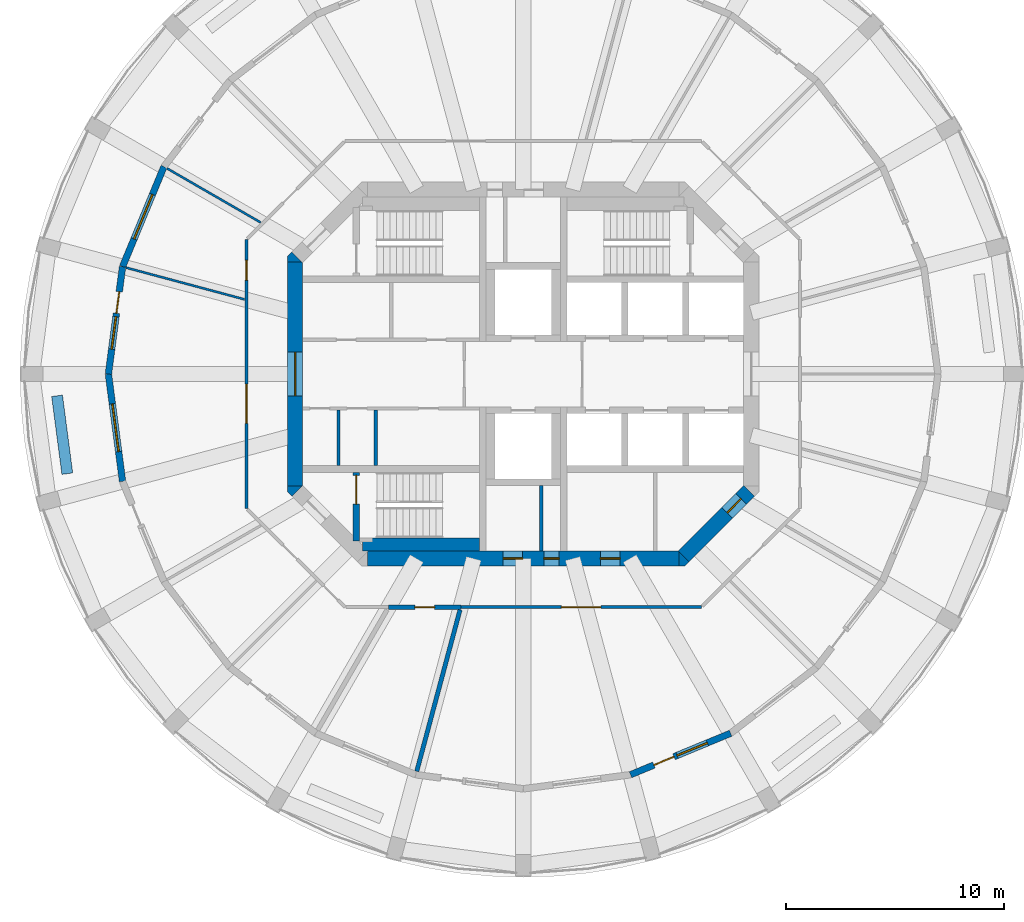
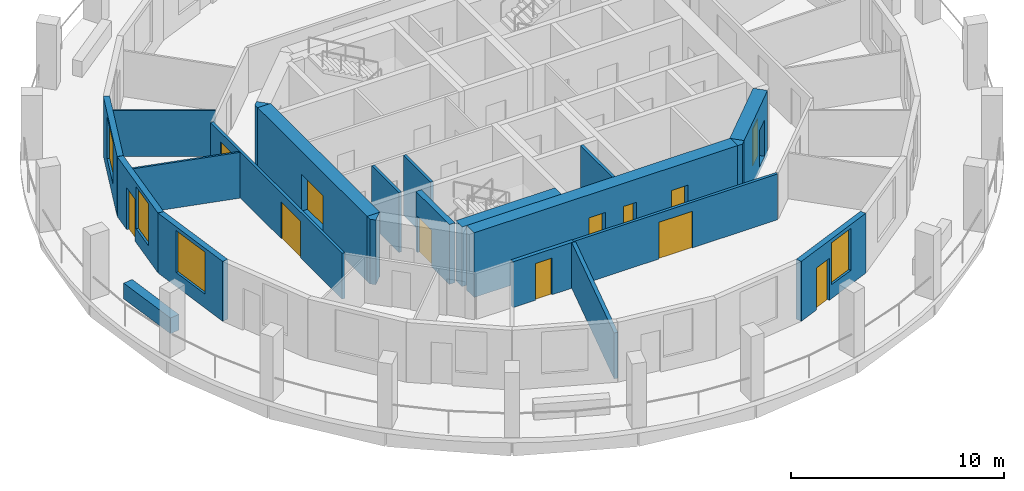
# One storey, part 3 of 9: 22 walls, 12 doors, 4 windows, 16 openings.
"""IFC4 building model written with IfcOpenShell, lengths in metres."""

from ifc_helpers import new_model, si_unit, direction, frame, frame_2d, origin, place, context, subcontext, project, spatial, polyline, rectangle, outline, extrude, material, layer, layer_set, type_object, element, fill, save


model = new_model("IFC4")

# Units and contexts
model_context = context("Model", 3, precision=1e-05, world=origin(), true_north=direction((0.0, 1.0)))
body_context = subcontext(model_context, "Body", "Model", "MODEL_VIEW")
ifc_project = project(units=[si_unit("LENGTHUNIT", "METRE"), si_unit("AREAUNIT", "SQUARE_METRE"), si_unit("VOLUMEUNIT", "CUBIC_METRE"), si_unit("PLANEANGLEUNIT", "RADIAN"), si_unit("MASSUNIT", "GRAM", prefix="KILO")], contexts=[model_context])

# Site, building, storey
site_placement = place(None, origin())
site = spatial("IfcSite", under=ifc_project, at=site_placement, CompositionType="ELEMENT")
building_placement = place(site_placement, origin())
building = spatial("IfcBuilding", under=site, at=building_placement, Name="Torre Triforio", CompositionType="ELEMENT")
storey_placement = place(building_placement, frame((0.0, 0.0, 154.199951171875)))
storey = spatial("IfcBuildingStorey", under=building, at=storey_placement, Name="L34", CompositionType="ELEMENT", Elevation=154.199951171875)

# Wall, openings, doors
ifc_material_1 = material(Name="Concrete C50", Category="concrete")
ifc_layer_1 = layer(ifc_material_1, 0.699951171875)
ifc_layer_set_1 = layer_set([ifc_layer_1], Name="Concrete C50")
wall_type_1 = type_object("IfcWallType", Name="Core wall 700 mm C50 EI 120", PredefinedType="SHEAR", material=ifc_layer_set_1)
wall_1_placement = place(storey_placement, frame((-7.1298828125, -8.449951171875, -0.280029296875), z_axis=(0.0, 0.0, 1.0), x_axis=(1.0, 0.0, 0.0)))
wall_1 = element("IfcWall", 1, at=wall_1_placement, inside=storey, type_object=wall_type_1, Name="Core wall", PredefinedType="SHEAR", context=body_context, shape_type="SweptSolid", body=[
    extrude(rectangle(XDim=14.259765625, YDim=0.699951171875, at=frame_2d((7.1298828125, 0.0))), origin(), (0.0, 0.0, 1.0), 3.7001953125),
])
opening_1_placement = place(wall_1_placement, frame((8.080078125, 0.0, 0.280029296875)))
opening_1 = element("IfcOpeningElement", 2, at=opening_1_placement, cuts=wall_1, Name="Opening RISER-S", PredefinedType="OPENING", context=body_context, shape_type="SweptSolid", body=[
    extrude(rectangle(XDim=0.699951171875, YDim=2.10009765625, at=frame_2d((0.35009765625, 1.050048828125))), frame((0.0, 0.35986328125, 0.0), z_axis=(0.0, -1.0, 0.0), x_axis=(1.0, 0.0, 0.0)), (0.0, 0.0, 1.0), 0.719970703125),
])
opening_2_placement = place(wall_1_placement, frame((6.205078125, 0.0, 0.280029296875)))
opening_2 = element("IfcOpeningElement", 3, at=opening_2_placement, cuts=wall_1, Name="Opening SW-01B", PredefinedType="OPENING", context=body_context, shape_type="SweptSolid", body=[
    extrude(rectangle(XDim=0.89990234375, YDim=2.10009765625, at=frame_2d((0.449951171875, 1.050048828125))), frame((0.0, 0.35986328125, 0.0), z_axis=(0.0, -1.0, 0.0), x_axis=(1.0, 0.0, 0.0)), (0.0, 0.0, 1.0), 0.719970703125),
])
opening_3_placement = place(wall_1_placement, frame((10.66748046875, 0.0, 0.280029296875)))
opening_3 = element("IfcOpeningElement", 4, at=opening_3_placement, cuts=wall_1, Name="Opening SE-01A", PredefinedType="OPENING", context=body_context, shape_type="SweptSolid", body=[
    extrude(rectangle(XDim=0.89990234375, YDim=2.10009765625, at=frame_2d((0.449951171875, 1.050048828125))), frame((0.0, 0.35986328125, 0.0), z_axis=(0.0, -1.0, 0.0), x_axis=(1.0, 0.0, 0.0)), (0.0, 0.0, 1.0), 0.719970703125),
])
ifc_material_2 = material(Name="Hollow metal fire door leaf")
door_type_1 = type_object("IfcDoorType", Name="Riser door 700 x 2100 EI 60", OperationType="NOTDEFINED", PredefinedType="DOOR", material=ifc_material_2)
door_1_placement = place(opening_1_placement, origin())
door_1 = element("IfcDoor", 5, at=door_1_placement, inside=storey, type_object=door_type_1, Name="Core door RISER-S", OperationType="SINGLE_SWING_RIGHT", OverallHeight=2.10009765625, OverallWidth=0.699951171875, PredefinedType="DOOR", context=body_context, shape_type="SweptSolid", body=[
    extrude(rectangle(XDim=0.699951171875, YDim=2.10009765625, at=frame_2d((0.35009765625, 1.050048828125))), frame((0.0, 0.02490234375, 0.0), z_axis=(0.0, -1.0, 0.0), x_axis=(1.0, 0.0, 0.0)), (0.0, 0.0, 1.0), 0.050048828125),
])
fill(opening_1, door_1)
door_type_2 = type_object("IfcDoorType", Name="Room door 900 x 2100 EI 60", OperationType="NOTDEFINED", PredefinedType="DOOR", material=ifc_material_2)
door_2_placement = place(opening_2_placement, origin())
door_2 = element("IfcDoor", 6, at=door_2_placement, inside=storey, type_object=door_type_2, Name="Core door SW-01", OperationType="SINGLE_SWING_LEFT", OverallHeight=2.10009765625, OverallWidth=0.89990234375, PredefinedType="DOOR", context=body_context, shape_type="SweptSolid", body=[
    extrude(rectangle(XDim=0.89990234375, YDim=2.10009765625, at=frame_2d((0.449951171875, 1.050048828125))), frame((0.0, 0.02490234375, 0.0), z_axis=(0.0, -1.0, 0.0), x_axis=(1.0, 0.0, 0.0)), (0.0, 0.0, 1.0), 0.050048828125),
])
fill(opening_2, door_2)
door_3_placement = place(opening_3_placement, origin())
door_3 = element("IfcDoor", 7, at=door_3_placement, inside=storey, type_object=door_type_2, Name="Core door SE-01", OperationType="SINGLE_SWING_LEFT", OverallHeight=2.10009765625, OverallWidth=0.89990234375, PredefinedType="DOOR", context=body_context, shape_type="SweptSolid", body=[
    extrude(rectangle(XDim=0.89990234375, YDim=2.10009765625, at=frame_2d((0.449951171875, 1.050048828125))), frame((0.0, 0.02490234375, 0.0), z_axis=(0.0, -1.0, 0.0), x_axis=(1.0, 0.0, 0.0)), (0.0, 0.0, 1.0), 0.050048828125),
])
fill(opening_3, door_3)

# Wall, opening, door
wall_2_placement = place(storey_placement, frame((-10.449951171875, -5.1298828125, -0.280029296875), z_axis=(0.0, 0.0, 1.0), x_axis=(0.0, 1.0, 0.0)))
wall_2 = element("IfcWall", 8, at=wall_2_placement, inside=storey, type_object=wall_type_1, Name="Core wall", PredefinedType="SHEAR", context=body_context, shape_type="SweptSolid", body=[
    extrude(rectangle(XDim=10.259765625, YDim=0.699951171875, at=frame_2d((5.1298828125, 0.0))), origin(), (0.0, 0.0, 1.0), 3.7001953125),
])
opening_4_placement = place(wall_2_placement, frame((4.1298828125, 0.0, 0.280029296875)))
opening_4 = element("IfcOpeningElement", 9, at=opening_4_placement, cuts=wall_2, Name="Opening W-RING", PredefinedType="OPENING", context=body_context, shape_type="SweptSolid", body=[
    extrude(rectangle(XDim=2.0, YDim=2.10009765625, at=frame_2d((1.0, 1.050048828125))), frame((0.0, 0.35986328125, 0.0), z_axis=(0.0, -1.0, 0.0), x_axis=(1.0, 0.0, 0.0)), (0.0, 0.0, 1.0), 0.719970703125),
])
door_type_3 = type_object("IfcDoorType", Name="Lobby door 2000 x 2100 EI 60", OperationType="DOUBLE_DOOR_SINGLE_SWING", PredefinedType="DOOR", material=ifc_material_2)
door_4_placement = place(opening_4_placement, origin())
door_4 = element("IfcDoor", 10, at=door_4_placement, inside=storey, type_object=door_type_3, Name="Core door W-RING", OperationType="DOUBLE_DOOR_SINGLE_SWING", OverallHeight=2.10009765625, OverallWidth=2.0, PredefinedType="DOOR", context=body_context, shape_type="SweptSolid", body=[
    extrude(rectangle(XDim=2.0, YDim=2.10009765625, at=frame_2d((1.0, 1.050048828125))), frame((0.0, 0.02490234375, 0.0), z_axis=(0.0, -1.0, 0.0), x_axis=(1.0, 0.0, 0.0)), (0.0, 0.0, 1.0), 0.050048828125),
])
fill(opening_4, door_4)

wall_3_placement = place(storey_placement, frame((10.347412109375, -5.347412109375, -0.280029296875), z_axis=(0.0, 0.0, 1.0), x_axis=(-0.707106781187, -0.707106781187, 0.0)))
wall_3 = element("IfcWall", 11, at=wall_3_placement, inside=storey, type_object=wall_type_1, Name="Core wall", PredefinedType="SHEAR", context=body_context, shape_type="SweptSolid", body=[
    extrude(rectangle(XDim=4.24267578125, YDim=0.699951171875, at=frame_2d((2.121337890625, 0.0))), origin(), (0.0, 0.0, 1.0), 3.7001953125),
])
opening_5_placement = place(wall_3_placement, frame((0.52001953125, 0.0, 0.280029296875)))
opening_5 = element("IfcOpeningElement", 12, at=opening_5_placement, cuts=wall_3, Name="Opening SE-02", PredefinedType="OPENING", context=body_context, shape_type="SweptSolid", body=[
    extrude(rectangle(XDim=0.89990234375, YDim=2.10009765625, at=frame_2d((0.449951171875, 1.050048828125))), frame((0.0, 0.35986328125, 0.0), z_axis=(0.0, -1.0, 0.0), x_axis=(1.0, 0.0, 0.0)), (0.0, 0.0, 1.0), 0.719970703125),
])
door_5_placement = place(opening_5_placement, origin())
door_5 = element("IfcDoor", 13, at=door_5_placement, inside=storey, type_object=door_type_2, Name="Core door SE-02", OperationType="SINGLE_SWING_RIGHT", OverallHeight=2.10009765625, OverallWidth=0.89990234375, PredefinedType="DOOR", context=body_context, shape_type="SweptSolid", body=[
    extrude(rectangle(XDim=0.89990234375, YDim=2.10009765625, at=frame_2d((0.449951171875, 1.050048828125))), frame((0.0, 0.02490234375, 0.0), z_axis=(0.0, -1.0, 0.0), x_axis=(1.0, 0.0, 0.0)), (0.0, 0.0, 1.0), 0.050048828125),
])
fill(opening_5, door_5)

# Walls
wall_4_placement = place(storey_placement, frame((0.0, 0.0, -0.280029296875)))
element("IfcWall", 14, at=wall_4_placement, inside=storey, type_object=wall_type_1, Name="Core wall", PredefinedType="SHEAR", context=body_context, shape_type="SweptSolid", body=[
    extrude(outline(polyline([(7.389892578125, -8.800048828125), (7.1298828125, -8.800048828125), (7.1298828125, -8.800048828125), (7.1298828125, -8.1298828125), (7.594970703125, -8.594970703125), (7.594970703125, -8.594970703125), (7.594970703125, -8.594970703125), (7.389892578125, -8.800048828125)])), origin(), (0.0, 0.0, 1.0), 3.7001953125),
])
wall_5_placement = place(storey_placement, frame((0.0, 0.0, -0.280029296875)))
element("IfcWall", 15, at=wall_5_placement, inside=storey, type_object=wall_type_1, Name="Core wall", PredefinedType="SHEAR", context=body_context, shape_type="SweptSolid", body=[
    extrude(outline(polyline([(-10.800048828125, -5.389892578125), (-10.800048828125, -5.1298828125), (-10.800048828125, -5.1298828125), (-10.1298828125, -5.1298828125), (-10.594970703125, -5.594970703125), (-10.594970703125, -5.594970703125), (-10.594970703125, -5.594970703125), (-10.800048828125, -5.389892578125)])), origin(), (0.0, 0.0, 1.0), 3.7001953125),
])
wall_6_placement = place(storey_placement, frame((0.0, 0.0, -0.280029296875)))
element("IfcWall", 16, at=wall_6_placement, inside=storey, type_object=wall_type_1, Name="Core wall", PredefinedType="SHEAR", context=body_context, shape_type="SweptSolid", body=[
    extrude(outline(polyline([(-10.594970703125, 5.594970703125), (-10.594970703125, 5.594970703125), (-10.594970703125, 5.594970703125), (-10.1298828125, 5.1298828125), (-10.800048828125, 5.1298828125), (-10.800048828125, 5.1298828125), (-10.800048828125, 5.389892578125), (-10.594970703125, 5.594970703125)])), origin(), (0.0, 0.0, 1.0), 3.7001953125),
])

# Wall, opening, door
ifc_material_3 = material(Name="Plasterboard on metal studs")
ifc_layer_2 = layer(ifc_material_3, 0.14990234375)
ifc_layer_set_2 = layer_set([ifc_layer_2], Name="Plasterboard on metal studs")
wall_type_2 = type_object("IfcWallType", Name="Corridor and tenancy wall 150 mm EI 60", PredefinedType="PARTITIONING", material=ifc_layer_set_2)
wall_7_placement = place(storey_placement, frame((8.16650390625, -10.675048828125, 0.0), z_axis=(0.0, 0.0, 1.0), x_axis=(-1.0, 0.0, 0.0)))
wall_7 = element("IfcWall", 17, at=wall_7_placement, inside=storey, type_object=wall_type_2, Name="Partition 2", PredefinedType="PARTITIONING", context=body_context, shape_type="SweptSolid", body=[
    extrude(rectangle(XDim=11.02685546875, YDim=0.14990234375, at=frame_2d((5.513427734375, 0.0))), origin(), (0.0, 0.0, 1.0), 2.6201171875),
])
opening_6_placement = place(wall_7_placement, frame((4.613525390625, 0.0, 0.0)))
opening_6 = element("IfcOpeningElement", 18, at=opening_6_placement, cuts=wall_7, Name="Opening O1-13", PredefinedType="OPENING", context=body_context, shape_type="SweptSolid", body=[
    extrude(rectangle(XDim=1.800048828125, YDim=2.10009765625, at=frame_2d((0.89990234375, 1.050048828125))), frame((0.0, 0.0849609375, 0.0), z_axis=(0.0, -1.0, 0.0), x_axis=(1.0, 0.0, 0.0)), (0.0, 0.0, 1.0), 0.169921875),
])
ifc_material_4 = material(Name="Timber", Category="wood")
door_type_4 = type_object("IfcDoorType", Name="Door 1800 x 2100 double leaf EI 30", OperationType="DOUBLE_DOOR_SINGLE_SWING", PredefinedType="DOOR", material=ifc_material_4)
door_6_placement = place(opening_6_placement, origin())
door_6 = element("IfcDoor", 19, at=door_6_placement, inside=storey, type_object=door_type_4, Name="Door O1-13", OperationType="DOUBLE_DOOR_SINGLE_SWING", OverallHeight=2.10009765625, OverallWidth=1.800048828125, PredefinedType="DOOR", context=body_context, shape_type="SweptSolid", body=[
    extrude(rectangle(XDim=1.800048828125, YDim=2.10009765625, at=frame_2d((0.89990234375, 1.050048828125))), frame((0.0, 0.02490234375, 0.0), z_axis=(0.0, -1.0, 0.0), x_axis=(1.0, 0.0, 0.0)), (0.0, 0.0, 1.0), 0.050048828125),
])
fill(opening_6, door_6)

# Wall, openings, doors
wall_8_placement = place(storey_placement, frame((-12.675048828125, -6.16650390625, 0.0), z_axis=(0.0, 0.0, 1.0), x_axis=(0.0, 1.0, 0.0)))
wall_8 = element("IfcWall", 20, at=wall_8_placement, inside=storey, type_object=wall_type_2, Name="Partition 6", PredefinedType="PARTITIONING", context=body_context, shape_type="SweptSolid", body=[
    extrude(rectangle(XDim=12.3330078125, YDim=0.14990234375, at=frame_2d((6.16650390625, 0.0))), origin(), (0.0, 0.0, 1.0), 2.6201171875),
])
opening_7_placement = place(wall_8_placement, frame((10.47314453125, 0.0, 0.0)))
opening_7 = element("IfcOpeningElement", 21, at=opening_7_placement, cuts=wall_8, Name="Opening O1-08", PredefinedType="OPENING", context=body_context, shape_type="SweptSolid", body=[
    extrude(rectangle(XDim=0.89990234375, YDim=2.10009765625, at=frame_2d((0.449951171875, 1.050048828125))), frame((0.0, 0.0849609375, 0.0), z_axis=(0.0, -1.0, 0.0), x_axis=(1.0, 0.0, 0.0)), (0.0, 0.0, 1.0), 0.169921875),
])
opening_8_placement = place(wall_8_placement, frame((3.9072265625, 0.0, 0.0)))
opening_8 = element("IfcOpeningElement", 22, at=opening_8_placement, cuts=wall_8, Name="Opening O1-09", PredefinedType="OPENING", context=body_context, shape_type="SweptSolid", body=[
    extrude(rectangle(XDim=1.800048828125, YDim=2.10009765625, at=frame_2d((0.89990234375, 1.050048828125))), frame((0.0, 0.0849609375, 0.0), z_axis=(0.0, -1.0, 0.0), x_axis=(1.0, 0.0, 0.0)), (0.0, 0.0, 1.0), 0.169921875),
])
door_7_placement = place(opening_8_placement, origin())
door_7 = element("IfcDoor", 23, at=door_7_placement, inside=storey, type_object=door_type_4, Name="Door O1-09", OperationType="DOUBLE_DOOR_SINGLE_SWING", OverallHeight=2.10009765625, OverallWidth=1.800048828125, PredefinedType="DOOR", context=body_context, shape_type="SweptSolid", body=[
    extrude(rectangle(XDim=1.800048828125, YDim=2.10009765625, at=frame_2d((0.89990234375, 1.050048828125))), frame((0.0, 0.02490234375, 0.0), z_axis=(0.0, -1.0, 0.0), x_axis=(1.0, 0.0, 0.0)), (0.0, 0.0, 1.0), 0.050048828125),
])
fill(opening_8, door_7)
door_type_5 = type_object("IfcDoorType", Name="Door 900 x 2100 single leaf EI 30", OperationType="NOTDEFINED", PredefinedType="DOOR", material=ifc_material_4)
door_8_placement = place(opening_7_placement, origin())
door_8 = element("IfcDoor", 24, at=door_8_placement, inside=storey, type_object=door_type_5, Name="Door O1-08", OperationType="SINGLE_SWING_RIGHT", OverallHeight=2.10009765625, OverallWidth=0.89990234375, PredefinedType="DOOR", context=body_context, shape_type="SweptSolid", body=[
    extrude(rectangle(XDim=0.89990234375, YDim=2.10009765625, at=frame_2d((0.449951171875, 1.050048828125))), frame((0.0, 0.02490234375, 0.0), z_axis=(0.0, -1.0, 0.0), x_axis=(1.0, 0.0, 0.0)), (0.0, 0.0, 1.0), 0.050048828125),
])
fill(opening_7, door_8)

# Walls
ifc_layer_3 = layer(ifc_material_3, 0.10009765625)
ifc_layer_set_3 = layer_set([ifc_layer_3], Name="Plasterboard on metal studs")
wall_type_3 = type_object("IfcWallType", Name="Partition 100 mm board on metal studs", PredefinedType="PARTITIONING", material=ifc_layer_set_3)
wall_9_placement = place(storey_placement, frame((-12.025146484375, 6.94287109375, 0.0), z_axis=(0.0, 0.0, 1.0), x_axis=(-0.866025463095, 0.499999897272, 0.0)))
element("IfcWall", 25, at=wall_9_placement, inside=storey, type_object=wall_type_3, Name="Partition 18", PredefinedType="PARTITIONING", context=body_context, shape_type="SweptSolid", body=[
    extrude(rectangle(XDim=4.951171875, YDim=0.10009765625, at=frame_2d((2.4755859375, 0.0))), origin(), (0.0, 0.0, 1.0), 2.6201171875),
])
wall_10_placement = place(storey_placement, frame((-12.764404296875, 3.420166015625, 0.0), z_axis=(0.0, 0.0, 1.0), x_axis=(-0.965925759926, 0.258819292773, 0.0)))
element("IfcWall", 26, at=wall_10_placement, inside=storey, type_object=wall_type_3, Name="Partition 19", PredefinedType="PARTITIONING", context=body_context, shape_type="SweptSolid", body=[
    extrude(rectangle(XDim=5.6220703125, YDim=0.10009765625, at=frame_2d((2.81103515625, 0.0))), origin(), (0.0, 0.0, 1.0), 2.6201171875),
])
ifc_material_5 = material(Name="Block and board partition")
ifc_layer_4 = layer(ifc_material_5, 0.14990234375)
ifc_layer_set_4 = layer_set([ifc_layer_4], Name="Block and board partition")
wall_type_4 = type_object("IfcWallType", Name="Partition 150 mm", PredefinedType="PARTITIONING", material=ifc_layer_set_4)
for number, where, z_axis, x_axis, name in (
    (27, (-8.465087890625, -4.199951171875, 0.0), (0.0, 0.0, 1.0), (0.0, 1.0, 0.0), "Partition"),
    (28, (-6.7548828125, -4.199951171875, 0.0), (0.0, 0.0, 1.0), (0.0, 1.0, 0.0), "Partition"),
):
    element("IfcWall", number, at=place(storey_placement, frame(where, z_axis=z_axis, x_axis=x_axis)), inside=storey, type_object=wall_type_4, Name=name, PredefinedType="PARTITIONING", context=body_context, shape_type="SweptSolid", body=[
        extrude(rectangle(XDim=2.550048828125, YDim=0.14990234375, at=frame_2d((1.27490234375, 0.0))), origin(), (0.0, 0.0, 1.0), 3.420166015625),
    ])
ifc_layer_5 = layer(ifc_material_5, 0.14990234375)
ifc_layer_set_5 = layer_set([ifc_layer_5], Name="Block and board partition")
wall_type_5 = type_object("IfcWallType", Name="Partition 150 mm EI 120", PredefinedType="PARTITIONING", material=ifc_layer_set_5)
wall_11_placement = place(storey_placement, frame((0.824951171875, -8.10009765625, 0.0), z_axis=(0.0, 0.0, 1.0), x_axis=(0.0, 1.0, 0.0)))
element("IfcWall", 29, at=wall_11_placement, inside=storey, type_object=wall_type_5, Name="Partition", PredefinedType="PARTITIONING", context=body_context, shape_type="SweptSolid", body=[
    extrude(rectangle(XDim=3.0, YDim=0.14990234375, at=frame_2d((1.5, 0.0))), origin(), (0.0, 0.0, 1.0), 3.420166015625),
])

# Wall, opening, door
ifc_material_6 = material(Name="Masonry block", Category="masonry")
ifc_layer_6 = layer(ifc_material_6, 0.199951171875)
ifc_layer_set_6 = layer_set([ifc_layer_6], Name="Masonry block")
wall_type_6 = type_object("IfcWallType", Name="Plant room wall 200 mm block EI 120", PredefinedType="PARTITIONING", material=ifc_layer_set_6)
wall_12_placement = place(storey_placement, frame((-2.8603515625, -10.675048828125, 0.0), z_axis=(0.0, 0.0, 1.0), x_axis=(-1.0, 0.0, 0.0)))
wall_12 = element("IfcWall", 30, at=wall_12_placement, inside=storey, type_object=wall_type_6, Name="Partition 3", PredefinedType="PARTITIONING", context=body_context, shape_type="SweptSolid", body=[
    extrude(rectangle(XDim=3.302734375, YDim=0.199951171875, at=frame_2d((1.6513671875, 0.0))), origin(), (0.0, 0.0, 1.0), 2.6201171875),
])
opening_9_placement = place(wall_12_placement, frame((1.201416015625, 0.0, 0.0)))
opening_9 = element("IfcOpeningElement", 31, at=opening_9_placement, cuts=wall_12, Name="Opening O1-12", PredefinedType="OPENING", context=body_context, shape_type="SweptSolid", body=[
    extrude(rectangle(XDim=0.89990234375, YDim=2.10009765625, at=frame_2d((0.449951171875, 1.050048828125))), frame((0.0, 0.10986328125, 0.0), z_axis=(0.0, -1.0, 0.0), x_axis=(1.0, 0.0, 0.0)), (0.0, 0.0, 1.0), 0.219970703125),
])
door_type_6 = type_object("IfcDoorType", Name="Door 900 x 2100 single leaf EI 60", OperationType="NOTDEFINED", PredefinedType="DOOR", material=ifc_material_2)
door_9_placement = place(opening_9_placement, origin())
door_9 = element("IfcDoor", 32, at=door_9_placement, inside=storey, type_object=door_type_6, Name="Door O1-12", OperationType="SINGLE_SWING_LEFT", OverallHeight=2.10009765625, OverallWidth=0.89990234375, PredefinedType="DOOR", context=body_context, shape_type="SweptSolid", body=[
    extrude(rectangle(XDim=0.89990234375, YDim=2.10009765625, at=frame_2d((0.449951171875, 1.050048828125))), frame((0.0, 0.02490234375, 0.0), z_axis=(0.0, -1.0, 0.0), x_axis=(1.0, 0.0, 0.0)), (0.0, 0.0, 1.0), 0.050048828125),
])
fill(opening_9, door_9)

# Walls
wall_13_placement = place(storey_placement, frame((-2.89404296875, -10.800537109375, 0.0), z_axis=(0.0, 0.0, 1.0), x_axis=(-0.258807821336, -0.965928833618, 0.0)))
element("IfcWall", 33, at=wall_13_placement, inside=storey, type_object=wall_type_6, Name="Partition 23", PredefinedType="PARTITIONING", context=body_context, shape_type="SweptSolid", body=[
    extrude(rectangle(XDim=7.655029296875, YDim=0.199951171875, at=frame_2d((3.82763671875, 0.0))), origin(), (0.0, 0.0, 1.0), 2.6201171875),
])
ifc_material_7 = material(Name="Limestone cladding", Category="masonry")
ifc_layer_7 = layer(ifc_material_7, 0.10009765625)
ifc_material_8 = material(Name="Concrete C40", Category="concrete")
ifc_layer_8 = layer(ifc_material_8, 0.39990234375)
ifc_layer_set_7 = layer_set([ifc_layer_7, ifc_layer_8], Name="Limestone cladding / Concrete C40")
wall_type_7 = type_object("IfcWallType", Name="Planter wall 500", PredefinedType="PARAPET", material=ifc_layer_set_7)
wall_14_placement = place(storey_placement, frame((-21.352783203125, -0.99560546875, 0.0), z_axis=(0.0, 0.0, 1.0), x_axis=(0.130551000099, -0.991441595039, 0.0)))
element("IfcWall", 34, at=wall_14_placement, inside=storey, type_object=wall_type_7, Name="Planter L34 bay 13", PredefinedType="PARAPET", context=body_context, shape_type="SweptSolid", body=[
    extrude(rectangle(XDim=3.599853515625, YDim=0.5, at=frame_2d((1.7998046875, 0.0))), origin(), (0.0, 0.0, 1.0), 0.900146484375),
])

# Wall, opening, door
ifc_layer_9 = layer(ifc_material_1, 0.300048828125)
ifc_layer_set_8 = layer_set([ifc_layer_9], Name="Concrete C50")
wall_type_8 = type_object("IfcWallType", Name="Stair wall 300 mm C50 EI 120", PredefinedType="SHEAR", material=ifc_layer_set_8)
wall_15_placement = place(storey_placement, frame((-7.64990234375, -7.639892578125, 0.0), z_axis=(0.0, 0.0, 1.0), x_axis=(0.0, 1.0, 0.0)))
wall_15 = element("IfcWall", 35, at=wall_15_placement, inside=storey, type_object=wall_type_8, Name="Stair wall", PredefinedType="SHEAR", context=body_context, shape_type="SweptSolid", body=[
    extrude(rectangle(XDim=3.139892578125, YDim=0.300048828125, at=frame_2d((1.56982421875, 0.0))), origin(), (0.0, 0.0, 1.0), 3.420166015625),
])
opening_10_placement = place(wall_15_placement, frame((1.679931640625, 0.0, 0.0)))
opening_10 = element("IfcOpeningElement", 36, at=opening_10_placement, cuts=wall_15, Name="Opening ST3-STA", PredefinedType="OPENING", context=body_context, shape_type="SweptSolid", body=[
    extrude(rectangle(XDim=1.320068359375, YDim=2.10009765625, at=frame_2d((0.66015625, 1.050048828125))), frame((0.0, 0.159912109375, 0.0), z_axis=(0.0, -1.0, 0.0), x_axis=(1.0, 0.0, 0.0)), (0.0, 0.0, 1.0), 0.320068359375),
])
door_type_7 = type_object("IfcDoorType", Name="Stair door 1320 x 2100 EI 90", OperationType="DOUBLE_DOOR_SINGLE_SWING", PredefinedType="DOOR", material=ifc_material_2)
door_10_placement = place(opening_10_placement, origin())
door_10 = element("IfcDoor", 37, at=door_10_placement, inside=storey, type_object=door_type_7, Name="Core door ST3-ST", OperationType="DOUBLE_DOOR_SINGLE_SWING", OverallHeight=2.10009765625, OverallWidth=1.320068359375, PredefinedType="DOOR", context=body_context, shape_type="SweptSolid", body=[
    extrude(rectangle(XDim=1.320068359375, YDim=2.10009765625, at=frame_2d((0.66015625, 1.050048828125))), frame((0.0, 0.02490234375, 0.0), z_axis=(0.0, -1.0, 0.0), x_axis=(1.0, 0.0, 0.0)), (0.0, 0.0, 1.0), 0.050048828125),
])
fill(opening_10, door_10)

# Wall
ifc_layer_10 = layer(ifc_material_1, 0.60009765625)
ifc_layer_set_9 = layer_set([ifc_layer_10], Name="Concrete C50")
wall_type_9 = type_object("IfcWallType", Name="Stair wall 600 mm C50 EI 120", PredefinedType="SHEAR", material=ifc_layer_set_9)
wall_16_placement = place(storey_placement, frame((-7.3701171875, -7.800048828125, 0.0), z_axis=(0.0, 0.0, 1.0), x_axis=(1.0, 0.0, 0.0)))
element("IfcWall", 38, at=wall_16_placement, inside=storey, type_object=wall_type_9, Name="Stair wall", PredefinedType="SHEAR", context=body_context, shape_type="SweptSolid", body=[
    extrude(rectangle(XDim=5.3701171875, YDim=0.60009765625, at=frame_2d((2.68505859375, 0.0))), origin(), (0.0, 0.0, 1.0), 3.420166015625),
])

# Wall, opening, window
ifc_layer_11 = layer(ifc_material_7, 0.10009765625)
ifc_layer_12 = layer(ifc_material_8, 0.199951171875)
ifc_layer_set_10 = layer_set([ifc_layer_11, ifc_layer_12], Name="Limestone cladding / Concrete C40")
wall_type_10 = type_object("IfcWallType", Name="Stone-faced composite wall 300", PredefinedType="STANDARD", material=ifc_layer_set_10)
wall_17_placement = place(storey_placement, frame((-16.45458984375, 9.5, 0.0), z_axis=(0.0, 0.0, 1.0), x_axis=(-0.382650301762, -0.923893254961, 0.0)))
wall_17 = element("IfcWall", 39, at=wall_17_placement, inside=storey, type_object=wall_type_10, Name="External wall L34 bay 11", PredefinedType="STANDARD", context=body_context, shape_type="SweptSolid", body=[
    extrude(rectangle(XDim=4.9599609375, YDim=0.300048828125, at=frame_2d((2.47998046875, 0.0))), origin(), (0.0, 0.0, 1.0), 3.420166015625),
])
opening_11_placement = place(wall_17_placement, frame((1.3798828125, 0.0, 0.800048828125)))
opening_11 = element("IfcOpeningElement", 40, at=opening_11_placement, cuts=wall_17, Name="Opening O1-W11", PredefinedType="OPENING", context=body_context, shape_type="SweptSolid", body=[
    extrude(rectangle(XDim=2.199951171875, YDim=2.39990234375, at=frame_2d((1.10009765625, 1.199951171875))), frame((0.0, 0.159912109375, 0.0), z_axis=(0.0, -1.0, 0.0), x_axis=(1.0, 0.0, 0.0)), (0.0, 0.0, 1.0), 0.320068359375),
])
ifc_material_9 = material(Name="Aluminium frame with clear double glazing", Category="aluminium")
window_type_1 = type_object("IfcWindowType", Name="Punched window 2200 x 2400", PartitioningType="DOUBLE_PANEL_VERTICAL", PredefinedType="WINDOW", material=ifc_material_9)
window_1_placement = place(opening_11_placement, origin())
window_1 = element("IfcWindow", 41, at=window_1_placement, inside=storey, type_object=window_type_1, Name="Window EWN5 L34 bay 11", OverallHeight=2.39990234375, OverallWidth=2.199951171875, PartitioningType="SINGLE_PANEL", PredefinedType="WINDOW", context=body_context, shape_type="SweptSolid", body=[
    extrude(rectangle(XDim=2.199951171875, YDim=2.39990234375, at=frame_2d((1.10009765625, 1.199951171875))), frame((0.0, 0.030029296875, 0.0), z_axis=(0.0, -1.0, 0.0), x_axis=(1.0, 0.0, 0.0)), (0.0, 0.0, 1.0), 0.06005859375),
])
fill(opening_11, window_1)

# Wall, openings, door, window
wall_18_placement = place(storey_placement, frame((-18.3525390625, 4.91748046875, 0.0), z_axis=(0.0, 0.0, 1.0), x_axis=(-0.130538549191, -0.991443234469, 0.0)))
wall_18 = element("IfcWall", 42, at=wall_18_placement, inside=storey, type_object=wall_type_10, Name="External wall L34 bay 12", PredefinedType="STANDARD", context=body_context, shape_type="SweptSolid", body=[
    extrude(rectangle(XDim=4.9599609375, YDim=0.300048828125, at=frame_2d((2.47998046875, 0.0))), origin(), (0.0, 0.0, 1.0), 3.420166015625),
])
opening_12_placement = place(wall_18_placement, frame((1.155029296875, 0.0, 0.0)))
opening_12 = element("IfcOpeningElement", 43, at=opening_12_placement, cuts=wall_18, Name="Opening O1-D12", PredefinedType="OPENING", context=body_context, shape_type="SweptSolid", body=[
    extrude(rectangle(XDim=1.0, YDim=2.39990234375, at=frame_2d((0.5, 1.199951171875))), frame((0.0, 0.159912109375, 0.0), z_axis=(0.0, -1.0, 0.0), x_axis=(1.0, 0.0, 0.0)), (0.0, 0.0, 1.0), 0.320068359375),
])
opening_13_placement = place(wall_18_placement, frame((2.304931640625, 0.0, 0.800048828125)))
opening_13 = element("IfcOpeningElement", 44, at=opening_13_placement, cuts=wall_18, Name="Opening O1-W12A", PredefinedType="OPENING", context=body_context, shape_type="SweptSolid", body=[
    extrude(rectangle(XDim=1.5, YDim=2.39990234375, at=frame_2d((0.75, 1.199951171875))), frame((0.0, 0.159912109375, 0.0), z_axis=(0.0, -1.0, 0.0), x_axis=(1.0, 0.0, 0.0)), (0.0, 0.0, 1.0), 0.320068359375),
])
door_type_8 = type_object("IfcDoorType", Name="Loggia door 1000 x 2400", OperationType="NOTDEFINED", PredefinedType="DOOR", material=ifc_material_9)
door_11_placement = place(opening_12_placement, origin())
door_11 = element("IfcDoor", 45, at=door_11_placement, inside=storey, type_object=door_type_8, Name="Loggia door L34 bay 12", OperationType="SINGLE_SWING_LEFT", OverallHeight=2.39990234375, OverallWidth=1.0, PredefinedType="DOOR", context=body_context, shape_type="SweptSolid", body=[
    extrude(rectangle(XDim=1.0, YDim=2.39990234375, at=frame_2d((0.5, 1.199951171875))), frame((0.0, 0.02490234375, 0.0), z_axis=(0.0, -1.0, 0.0), x_axis=(1.0, 0.0, 0.0)), (0.0, 0.0, 1.0), 0.050048828125),
])
fill(opening_12, door_11)
window_type_2 = type_object("IfcWindowType", Name="Side window 1500 x 2400", PartitioningType="SINGLE_PANEL", PredefinedType="WINDOW", material=ifc_material_9)
window_2_placement = place(opening_13_placement, origin())
window_2 = element("IfcWindow", 46, at=window_2_placement, inside=storey, type_object=window_type_2, Name="Side window EWN14 L34 bay 12", OverallHeight=2.39990234375, OverallWidth=1.5, PartitioningType="SINGLE_PANEL", PredefinedType="WINDOW", context=body_context, shape_type="SweptSolid", body=[
    extrude(rectangle(XDim=1.5, YDim=2.39990234375, at=frame_2d((0.75, 1.199951171875))), frame((0.0, 0.030029296875, 0.0), z_axis=(0.0, -1.0, 0.0), x_axis=(1.0, 0.0, 0.0)), (0.0, 0.0, 1.0), 0.06005859375),
])
fill(opening_13, window_2)

# Wall, opening, window
wall_19_placement = place(storey_placement, frame((-19.0, 0.0, 0.0), z_axis=(0.0, 0.0, 1.0), x_axis=(0.130538549191, -0.991443234469, 0.0)))
wall_19 = element("IfcWall", 47, at=wall_19_placement, inside=storey, type_object=wall_type_10, Name="External wall L34 bay 13", PredefinedType="STANDARD", context=body_context, shape_type="SweptSolid", body=[
    extrude(rectangle(XDim=4.9599609375, YDim=0.300048828125, at=frame_2d((2.47998046875, 0.0))), origin(), (0.0, 0.0, 1.0), 3.420166015625),
])
opening_14_placement = place(wall_19_placement, frame((1.3798828125, 0.0, 0.800048828125)))
opening_14 = element("IfcOpeningElement", 48, at=opening_14_placement, cuts=wall_19, Name="Opening O1-W13", PredefinedType="OPENING", context=body_context, shape_type="SweptSolid", body=[
    extrude(rectangle(XDim=2.199951171875, YDim=2.39990234375, at=frame_2d((1.10009765625, 1.199951171875))), frame((0.0, 0.159912109375, 0.0), z_axis=(0.0, -1.0, 0.0), x_axis=(1.0, 0.0, 0.0)), (0.0, 0.0, 1.0), 0.320068359375),
])
window_3_placement = place(opening_14_placement, origin())
window_3 = element("IfcWindow", 49, at=window_3_placement, inside=storey, type_object=window_type_1, Name="Window EWN5 L34 bay 13", OverallHeight=2.39990234375, OverallWidth=2.199951171875, PartitioningType="SINGLE_PANEL", PredefinedType="WINDOW", context=body_context, shape_type="SweptSolid", body=[
    extrude(rectangle(XDim=2.199951171875, YDim=2.39990234375, at=frame_2d((1.10009765625, 1.199951171875))), frame((0.0, 0.030029296875, 0.0), z_axis=(0.0, -1.0, 0.0), x_axis=(1.0, 0.0, 0.0)), (0.0, 0.0, 1.0), 0.06005859375),
])
fill(opening_14, window_3)

# Wall, openings, door, window
wall_20_placement = place(storey_placement, frame((4.91748046875, -18.3525390625, 0.0), z_axis=(0.0, 0.0, 1.0), x_axis=(0.923893254961, 0.382650301762, 0.0)))
wall_20 = element("IfcWall", 50, at=wall_20_placement, inside=storey, type_object=wall_type_10, Name="External wall L34 bay 20", PredefinedType="STANDARD", context=body_context, shape_type="SweptSolid", body=[
    extrude(rectangle(XDim=4.9599609375, YDim=0.300048828125, at=frame_2d((2.47998046875, 0.0))), origin(), (0.0, 0.0, 1.0), 3.420166015625),
])
opening_15_placement = place(wall_20_placement, frame((1.155029296875, 0.0, 0.0)))
opening_15 = element("IfcOpeningElement", 51, at=opening_15_placement, cuts=wall_20, Name="Opening O1-D20", PredefinedType="OPENING", context=body_context, shape_type="SweptSolid", body=[
    extrude(rectangle(XDim=1.0, YDim=2.39990234375, at=frame_2d((0.5, 1.199951171875))), frame((0.0, 0.159912109375, 0.0), z_axis=(0.0, -1.0, 0.0), x_axis=(1.0, 0.0, 0.0)), (0.0, 0.0, 1.0), 0.320068359375),
])
opening_16_placement = place(wall_20_placement, frame((2.304931640625, 0.0, 0.800048828125)))
opening_16 = element("IfcOpeningElement", 52, at=opening_16_placement, cuts=wall_20, Name="Opening O1-W20A", PredefinedType="OPENING", context=body_context, shape_type="SweptSolid", body=[
    extrude(rectangle(XDim=1.5, YDim=2.39990234375, at=frame_2d((0.75, 1.199951171875))), frame((0.0, 0.159912109375, 0.0), z_axis=(0.0, -1.0, 0.0), x_axis=(1.0, 0.0, 0.0)), (0.0, 0.0, 1.0), 0.320068359375),
])
door_12_placement = place(opening_15_placement, origin())
door_12 = element("IfcDoor", 53, at=door_12_placement, inside=storey, type_object=door_type_8, Name="Loggia door L34 bay 20", OperationType="SINGLE_SWING_LEFT", OverallHeight=2.39990234375, OverallWidth=1.0, PredefinedType="DOOR", context=body_context, shape_type="SweptSolid", body=[
    extrude(rectangle(XDim=1.0, YDim=2.39990234375, at=frame_2d((0.5, 1.199951171875))), frame((0.0, 0.02490234375, 0.0), z_axis=(0.0, -1.0, 0.0), x_axis=(1.0, 0.0, 0.0)), (0.0, 0.0, 1.0), 0.050048828125),
])
fill(opening_15, door_12)
window_4_placement = place(opening_16_placement, origin())
window_4 = element("IfcWindow", 54, at=window_4_placement, inside=storey, type_object=window_type_2, Name="Side window EWN14 L34 bay 20", OverallHeight=2.39990234375, OverallWidth=1.5, PartitioningType="SINGLE_PANEL", PredefinedType="WINDOW", context=body_context, shape_type="SweptSolid", body=[
    extrude(rectangle(XDim=1.5, YDim=2.39990234375, at=frame_2d((0.75, 1.199951171875))), frame((0.0, 0.030029296875, 0.0), z_axis=(0.0, -1.0, 0.0), x_axis=(1.0, 0.0, 0.0)), (0.0, 0.0, 1.0), 0.06005859375),
])
fill(opening_16, window_4)

save(model, "model.ifc")
